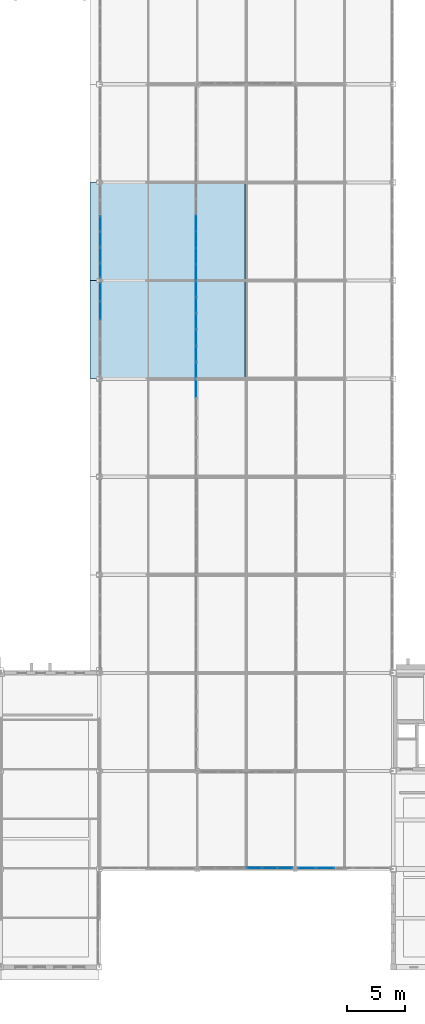
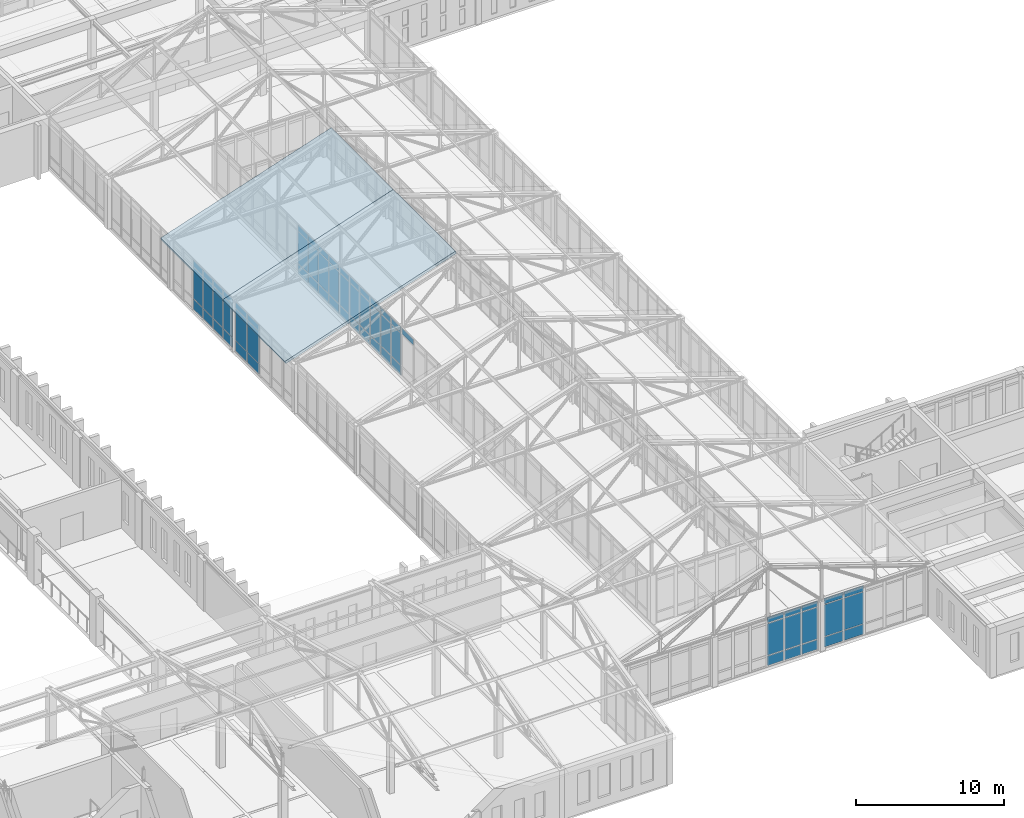
# One storey, part 114 of 192: 64 plates, 2 slabs, 7 elements without a shape of their own.
"""IFC4 building model written with IfcOpenShell, lengths in metres."""

from ifc_helpers import new_model, si_unit, direction, frame, origin, origin_2d, place, context, subcontext, project, spatial, polyline, rectangle, outline, extrude, material, layer, layer_set, type_object, element, aggregate, save


model = new_model("IFC4")

# Units and contexts
model_context = context("Model", 3, precision=1e-05, world=origin(), true_north=direction((0.0, 1.0)))
body_context = subcontext(model_context, "Body", "Model", "MODEL_VIEW")
ifc_project = project(units=[si_unit("LENGTHUNIT", "METRE"), si_unit("AREAUNIT", "SQUARE_METRE"), si_unit("VOLUMEUNIT", "CUBIC_METRE"), si_unit("PLANEANGLEUNIT", "RADIAN"), si_unit("MASSUNIT", "GRAM", prefix="KILO")], contexts=[model_context])

# Site, building, storey
site_placement = place(None, origin())
site = spatial("IfcSite", under=ifc_project, at=site_placement, CompositionType="ELEMENT")
building_placement = place(site_placement, origin())
building = spatial("IfcBuilding", under=site, at=building_placement, Name="Kveldsbrygga Polytechnic", CompositionType="ELEMENT")
storey_placement = place(building_placement, frame((0.0, 0.0, 5.43994140625)))
storey = spatial("IfcBuildingStorey", under=building, at=storey_placement, Name="L01", CompositionType="ELEMENT", Elevation=5.43994140625)

# Curtain wall, plate
ifc_material_1 = material(Name="Anodised aluminium AW-6060", Category="aluminium")
ifc_layer_1 = layer(ifc_material_1, 0.18994140625)
ifc_layer_set_1 = layer_set([ifc_layer_1], Name="Anodised aluminium AW-6060")
curtain_wall_type_1 = type_object("IfcCurtainWallType", Name="CW-REFC-G", PredefinedType="USERDEFINED", material=ifc_layer_set_1)
curtain_wall_1_placement = place(storey_placement, origin())
curtain_wall_1 = element("IfcCurtainWall", 1, at=curtain_wall_1_placement, inside=storey, type_object=curtain_wall_type_1, Name="Curtain Wall CW-L01-Y-07-05", ObjectType="UNITISED CURTAIN WALL", PredefinedType="USERDEFINED")
ifc_material_2 = material(Name="Insulated triple low-E glass", Category="glass")
ifc_layer_2 = layer(ifc_material_2, 0.035888671875)
ifc_layer_set_2 = layer_set([ifc_layer_2], Name="Insulated triple low-E glass")
plate_type_1 = type_object("IfcPlateType", Name="CW-PAN-VIS36", PredefinedType="CURTAIN_PANEL", material=ifc_layer_set_2)
plate_1_placement = place(storey_placement, frame((58.699951171875, 49.541259765625, 3.60009765625), z_axis=(0.0, 0.0, 1.0), x_axis=(0.0, 1.0, 0.0)))
plate_1 = element("IfcPlate", 2, at=plate_1_placement, type_object=plate_type_1, Name="CW-07 panel 5.3", PredefinedType="CURTAIN_PANEL", context=body_context, shape_type="SweptSolid", body=[
    extrude(rectangle(XDim=1.5673828125, YDim=0.035888671875, at=origin_2d()), origin(), (0.0, 0.0, 1.0), 0.4599609375),
])
aggregate(curtain_wall_1, [plate_1])

# Curtain wall, plates
curtain_wall_2_placement = place(storey_placement, origin())
curtain_wall_2 = element("IfcCurtainWall", 3, at=curtain_wall_2_placement, inside=storey, type_object=curtain_wall_type_1, Name="Curtain Wall CW-L01-Y-06-06", ObjectType="UNITISED CURTAIN WALL", PredefinedType="USERDEFINED")
plate_2_placement = place(storey_placement, frame((50.5, 56.218017578125, 0.06005859375), z_axis=(0.0, 0.0, 1.0), x_axis=(0.0, 1.0, 0.0)))
plate_2 = element("IfcPlate", 4, at=plate_2_placement, type_object=plate_type_1, Name="CW-07 panel 4.1", PredefinedType="CURTAIN_PANEL", context=body_context, shape_type="SweptSolid", body=[
    extrude(rectangle(XDim=1.54296875, YDim=0.035888671875, at=origin_2d()), origin(), (0.0, 0.0, 1.0), 0.81005859375),
])
plate_3_placement = place(storey_placement, frame((50.5, 56.218017578125, 0.93017578125), z_axis=(0.0, 0.0, 1.0), x_axis=(0.0, 1.0, 0.0)))
plate_3 = element("IfcPlate", 5, at=plate_3_placement, type_object=plate_type_1, Name="CW-07 panel 4.2", PredefinedType="CURTAIN_PANEL", context=body_context, shape_type="SweptSolid", body=[
    extrude(rectangle(XDim=1.54296875, YDim=0.035888671875, at=origin_2d()), origin(), (0.0, 0.0, 1.0), 2.610107421875),
])
plate_4_placement = place(storey_placement, frame((50.5, 56.218017578125, 3.60009765625), z_axis=(0.0, 0.0, 1.0), x_axis=(0.0, 1.0, 0.0)))
plate_4 = element("IfcPlate", 6, at=plate_4_placement, type_object=plate_type_1, Name="CW-07 panel 4.3", PredefinedType="CURTAIN_PANEL", context=body_context, shape_type="SweptSolid", body=[
    extrude(rectangle(XDim=1.54296875, YDim=0.035888671875, at=origin_2d()), origin(), (0.0, 0.0, 1.0), 0.4599609375),
])
plate_5_placement = place(storey_placement, frame((50.5, 57.817138671875, 0.06005859375), z_axis=(0.0, 0.0, 1.0), x_axis=(0.0, 1.0, 0.0)))
plate_5 = element("IfcPlate", 7, at=plate_5_placement, type_object=plate_type_1, Name="CW-07 panel 5.1", PredefinedType="CURTAIN_PANEL", context=body_context, shape_type="SweptSolid", body=[
    extrude(rectangle(XDim=1.505615234375, YDim=0.035888671875, at=origin_2d()), origin(), (0.0, 0.0, 1.0), 0.81005859375),
])
plate_6_placement = place(storey_placement, frame((50.5, 57.817138671875, 0.93017578125), z_axis=(0.0, 0.0, 1.0), x_axis=(0.0, 1.0, 0.0)))
plate_6 = element("IfcPlate", 8, at=plate_6_placement, type_object=plate_type_1, Name="CW-07 panel 5.2", PredefinedType="CURTAIN_PANEL", context=body_context, shape_type="SweptSolid", body=[
    extrude(rectangle(XDim=1.505615234375, YDim=0.035888671875, at=origin_2d()), origin(), (0.0, 0.0, 1.0), 2.610107421875),
])
plate_7_placement = place(storey_placement, frame((50.5, 57.817138671875, 3.60009765625), z_axis=(0.0, 0.0, 1.0), x_axis=(0.0, 1.0, 0.0)))
plate_7 = element("IfcPlate", 9, at=plate_7_placement, type_object=plate_type_1, Name="CW-07 panel 5.3", PredefinedType="CURTAIN_PANEL", context=body_context, shape_type="SweptSolid", body=[
    extrude(rectangle(XDim=1.505615234375, YDim=0.035888671875, at=origin_2d()), origin(), (0.0, 0.0, 1.0), 0.4599609375),
])
aggregate(curtain_wall_2, [plate_2, plate_3, plate_4, plate_5, plate_6, plate_7])

ifc_layer_3 = layer(ifc_material_1, 0.179931640625)
ifc_layer_set_3 = layer_set([ifc_layer_3], Name="Anodised aluminium AW-6060")
curtain_wall_type_2 = type_object("IfcCurtainWallType", Name="CW-CONC-A", PredefinedType="USERDEFINED", material=ifc_layer_set_3)
curtain_wall_3_placement = place(storey_placement, origin())
curtain_wall_3 = element("IfcCurtainWall", 10, at=curtain_wall_3_placement, inside=storey, type_object=curtain_wall_type_2, Name="Curtain Wall CW-L01-Y-07-07", ObjectType="UNITISED CURTAIN WALL", PredefinedType="USERDEFINED")
plate_8_placement = place(storey_placement, frame((58.699951171875, 59.514892578125, 0.06005859375), z_axis=(0.0, 0.0, 1.0), x_axis=(0.0, 1.0, 0.0)))
plate_8 = element("IfcPlate", 11, at=plate_8_placement, type_object=plate_type_1, Name="CW-01 panel 1.1", PredefinedType="CURTAIN_PANEL", context=body_context, shape_type="SweptSolid", body=[
    extrude(rectangle(XDim=1.31005859375, YDim=0.035888671875, at=origin_2d()), origin(), (0.0, 0.0, 1.0), 0.81005859375),
])
plate_9_placement = place(storey_placement, frame((58.699951171875, 59.514892578125, 0.93017578125), z_axis=(0.0, 0.0, 1.0), x_axis=(0.0, 1.0, 0.0)))
plate_9 = element("IfcPlate", 12, at=plate_9_placement, type_object=plate_type_1, Name="CW-01 panel 1.2", PredefinedType="CURTAIN_PANEL", context=body_context, shape_type="SweptSolid", body=[
    extrude(rectangle(XDim=1.31005859375, YDim=0.035888671875, at=origin_2d()), origin(), (0.0, 0.0, 1.0), 2.610107421875),
])
plate_10_placement = place(storey_placement, frame((58.699951171875, 59.514892578125, 3.60009765625), z_axis=(0.0, 0.0, 1.0), x_axis=(0.0, 1.0, 0.0)))
plate_10 = element("IfcPlate", 13, at=plate_10_placement, type_object=plate_type_1, Name="CW-01 panel 1.3", PredefinedType="CURTAIN_PANEL", context=body_context, shape_type="SweptSolid", body=[
    extrude(rectangle(XDim=1.31005859375, YDim=0.035888671875, at=origin_2d()), origin(), (0.0, 0.0, 1.0), 0.4599609375),
])
plate_11_placement = place(storey_placement, frame((58.699951171875, 60.89990234375, 0.06005859375), z_axis=(0.0, 0.0, 1.0), x_axis=(0.0, 1.0, 0.0)))
plate_11 = element("IfcPlate", 14, at=plate_11_placement, type_object=plate_type_1, Name="CW-01 panel 2.1", PredefinedType="CURTAIN_PANEL", context=body_context, shape_type="SweptSolid", body=[
    extrude(rectangle(XDim=1.340087890625, YDim=0.035888671875, at=origin_2d()), origin(), (0.0, 0.0, 1.0), 0.81005859375),
])
plate_12_placement = place(storey_placement, frame((58.699951171875, 60.89990234375, 0.93017578125), z_axis=(0.0, 0.0, 1.0), x_axis=(0.0, 1.0, 0.0)))
plate_12 = element("IfcPlate", 15, at=plate_12_placement, type_object=plate_type_1, Name="CW-01 panel 2.2", PredefinedType="CURTAIN_PANEL", context=body_context, shape_type="SweptSolid", body=[
    extrude(rectangle(XDim=1.340087890625, YDim=0.035888671875, at=origin_2d()), origin(), (0.0, 0.0, 1.0), 2.610107421875),
])
plate_13_placement = place(storey_placement, frame((58.699951171875, 60.89990234375, 3.60009765625), z_axis=(0.0, 0.0, 1.0), x_axis=(0.0, 1.0, 0.0)))
plate_13 = element("IfcPlate", 16, at=plate_13_placement, type_object=plate_type_1, Name="CW-01 panel 2.3", PredefinedType="CURTAIN_PANEL", context=body_context, shape_type="SweptSolid", body=[
    extrude(rectangle(XDim=1.340087890625, YDim=0.035888671875, at=origin_2d()), origin(), (0.0, 0.0, 1.0), 0.4599609375),
])
plate_14_placement = place(storey_placement, frame((58.699951171875, 62.300048828125, 0.06005859375), z_axis=(0.0, 0.0, 1.0), x_axis=(0.0, 1.0, 0.0)))
plate_14 = element("IfcPlate", 17, at=plate_14_placement, type_object=plate_type_1, Name="CW-01 panel 3.1", PredefinedType="CURTAIN_PANEL", context=body_context, shape_type="SweptSolid", body=[
    extrude(rectangle(XDim=1.340087890625, YDim=0.035888671875, at=origin_2d()), origin(), (0.0, 0.0, 1.0), 0.81005859375),
])
plate_15_placement = place(storey_placement, frame((58.699951171875, 62.300048828125, 0.93017578125), z_axis=(0.0, 0.0, 1.0), x_axis=(0.0, 1.0, 0.0)))
plate_15 = element("IfcPlate", 18, at=plate_15_placement, type_object=plate_type_1, Name="CW-01 panel 3.2", PredefinedType="CURTAIN_PANEL", context=body_context, shape_type="SweptSolid", body=[
    extrude(rectangle(XDim=1.340087890625, YDim=0.035888671875, at=origin_2d()), origin(), (0.0, 0.0, 1.0), 2.610107421875),
])
plate_16_placement = place(storey_placement, frame((58.699951171875, 62.300048828125, 3.60009765625), z_axis=(0.0, 0.0, 1.0), x_axis=(0.0, 1.0, 0.0)))
plate_16 = element("IfcPlate", 19, at=plate_16_placement, type_object=plate_type_1, Name="CW-01 panel 3.3", PredefinedType="CURTAIN_PANEL", context=body_context, shape_type="SweptSolid", body=[
    extrude(rectangle(XDim=1.340087890625, YDim=0.035888671875, at=origin_2d()), origin(), (0.0, 0.0, 1.0), 0.4599609375),
])
plate_17_placement = place(storey_placement, frame((58.699951171875, 63.699951171875, 0.06005859375), z_axis=(0.0, 0.0, 1.0), x_axis=(0.0, 1.0, 0.0)))
plate_17 = element("IfcPlate", 20, at=plate_17_placement, type_object=plate_type_1, Name="CW-01 panel 4.1", PredefinedType="CURTAIN_PANEL", context=body_context, shape_type="SweptSolid", body=[
    extrude(rectangle(XDim=1.340087890625, YDim=0.035888671875, at=origin_2d()), origin(), (0.0, 0.0, 1.0), 0.81005859375),
])
plate_18_placement = place(storey_placement, frame((58.699951171875, 63.699951171875, 0.93017578125), z_axis=(0.0, 0.0, 1.0), x_axis=(0.0, 1.0, 0.0)))
plate_18 = element("IfcPlate", 21, at=plate_18_placement, type_object=plate_type_1, Name="CW-01 panel 4.2", PredefinedType="CURTAIN_PANEL", context=body_context, shape_type="SweptSolid", body=[
    extrude(rectangle(XDim=1.340087890625, YDim=0.035888671875, at=origin_2d()), origin(), (0.0, 0.0, 1.0), 2.610107421875),
])
plate_19_placement = place(storey_placement, frame((58.699951171875, 63.699951171875, 3.60009765625), z_axis=(0.0, 0.0, 1.0), x_axis=(0.0, 1.0, 0.0)))
plate_19 = element("IfcPlate", 22, at=plate_19_placement, type_object=plate_type_1, Name="CW-01 panel 4.3", PredefinedType="CURTAIN_PANEL", context=body_context, shape_type="SweptSolid", body=[
    extrude(rectangle(XDim=1.340087890625, YDim=0.035888671875, at=origin_2d()), origin(), (0.0, 0.0, 1.0), 0.4599609375),
])
aggregate(curtain_wall_3, [plate_8, plate_9, plate_10, plate_11, plate_12, plate_13, plate_14, plate_15, plate_16, plate_17, plate_18, plate_19])

ifc_layer_4 = layer(ifc_material_1, 0.179931640625)
ifc_layer_set_4 = layer_set([ifc_layer_4], Name="Anodised aluminium AW-6060")
curtain_wall_type_3 = type_object("IfcCurtainWallType", Name="CW-LANC-D", PredefinedType="USERDEFINED", material=ifc_layer_set_4)
curtain_wall_4_placement = place(storey_placement, origin())
curtain_wall_4 = element("IfcCurtainWall", 23, at=curtain_wall_4_placement, inside=storey, type_object=curtain_wall_type_3, Name="Curtain Wall CW-L01-X-08-01", ObjectType="UNITISED CURTAIN WALL", PredefinedType="USERDEFINED")
plate_20_placement = place(storey_placement, frame((68.19921875, 8.5, 0.06005859375), z_axis=(0.0, 0.0, 1.0), x_axis=(1.0, 0.0, 0.0)))
plate_20 = element("IfcPlate", 24, at=plate_20_placement, type_object=plate_type_1, Name="CW-04 panel 1.1", PredefinedType="CURTAIN_PANEL", context=body_context, shape_type="SweptSolid", body=[
    extrude(rectangle(XDim=1.478515625, YDim=0.035888671875, at=origin_2d()), origin(), (0.0, 0.0, 1.0), 0.81005859375),
])
plate_21_placement = place(storey_placement, frame((68.19921875, 8.5, 0.93017578125), z_axis=(0.0, 0.0, 1.0), x_axis=(1.0, 0.0, 0.0)))
plate_21 = element("IfcPlate", 25, at=plate_21_placement, type_object=plate_type_1, Name="CW-04 panel 1.2", PredefinedType="CURTAIN_PANEL", context=body_context, shape_type="SweptSolid", body=[
    extrude(rectangle(XDim=1.478515625, YDim=0.035888671875, at=origin_2d()), origin(), (0.0, 0.0, 1.0), 2.610107421875),
])
plate_22_placement = place(storey_placement, frame((68.19921875, 8.5, 3.60009765625), z_axis=(0.0, 0.0, 1.0), x_axis=(1.0, 0.0, 0.0)))
plate_22 = element("IfcPlate", 26, at=plate_22_placement, type_object=plate_type_1, Name="CW-04 panel 1.3", PredefinedType="CURTAIN_PANEL", context=body_context, shape_type="SweptSolid", body=[
    extrude(rectangle(XDim=1.478515625, YDim=0.035888671875, at=origin_2d()), origin(), (0.0, 0.0, 1.0), 0.4599609375),
])
plate_23_placement = place(storey_placement, frame((69.771484375, 8.5, 0.06005859375), z_axis=(0.0, 0.0, 1.0), x_axis=(1.0, 0.0, 0.0)))
plate_23 = element("IfcPlate", 27, at=plate_23_placement, type_object=plate_type_1, Name="CW-04 panel 2.1", PredefinedType="CURTAIN_PANEL", context=body_context, shape_type="SweptSolid", body=[
    extrude(rectangle(XDim=1.51611328125, YDim=0.035888671875, at=origin_2d()), origin(), (0.0, 0.0, 1.0), 0.81005859375),
])
plate_24_placement = place(storey_placement, frame((69.771484375, 8.5, 0.93017578125), z_axis=(0.0, 0.0, 1.0), x_axis=(1.0, 0.0, 0.0)))
plate_24 = element("IfcPlate", 28, at=plate_24_placement, type_object=plate_type_1, Name="CW-04 panel 2.2", PredefinedType="CURTAIN_PANEL", context=body_context, shape_type="SweptSolid", body=[
    extrude(rectangle(XDim=1.51611328125, YDim=0.035888671875, at=origin_2d()), origin(), (0.0, 0.0, 1.0), 2.610107421875),
])
plate_25_placement = place(storey_placement, frame((69.771484375, 8.5, 3.60009765625), z_axis=(0.0, 0.0, 1.0), x_axis=(1.0, 0.0, 0.0)))
plate_25 = element("IfcPlate", 29, at=plate_25_placement, type_object=plate_type_1, Name="CW-04 panel 2.3", PredefinedType="CURTAIN_PANEL", context=body_context, shape_type="SweptSolid", body=[
    extrude(rectangle(XDim=1.51611328125, YDim=0.035888671875, at=origin_2d()), origin(), (0.0, 0.0, 1.0), 0.4599609375),
])
aggregate(curtain_wall_4, [plate_20, plate_21, plate_22, plate_23, plate_24, plate_25])

ifc_layer_5 = layer(ifc_material_1, 0.2099609375)
ifc_layer_set_5 = layer_set([ifc_layer_5], Name="Anodised aluminium AW-6060")
curtain_wall_type_4 = type_object("IfcCurtainWallType", Name="CW-LIBR-H", PredefinedType="USERDEFINED", material=ifc_layer_set_5)
curtain_wall_5_placement = place(storey_placement, origin())
curtain_wall_5 = element("IfcCurtainWall", 30, at=curtain_wall_5_placement, inside=storey, type_object=curtain_wall_type_4, Name="Curtain Wall CW-L01-Y-07-06", ObjectType="UNITISED CURTAIN WALL", PredefinedType="USERDEFINED")
ifc_layer_6 = layer(ifc_material_2, 0.0419921875)
ifc_layer_set_6 = layer_set([ifc_layer_6], Name="Insulated triple low-E glass")
plate_type_2 = type_object("IfcPlateType", Name="CW-PAN-VIS42", PredefinedType="CURTAIN_PANEL", material=ifc_layer_set_6)
plate_26_placement = place(storey_placement, frame((58.699951171875, 51.11865234375, 0.06005859375), z_axis=(0.0, 0.0, 1.0), x_axis=(0.0, 1.0, 0.0)))
plate_26 = element("IfcPlate", 31, at=plate_26_placement, type_object=plate_type_2, Name="CW-08 panel 1.1", PredefinedType="CURTAIN_PANEL", context=body_context, shape_type="SweptSolid", body=[
    extrude(rectangle(XDim=1.28759765625, YDim=0.0419921875, at=origin_2d()), origin(), (0.0, 0.0, 1.0), 0.81005859375),
])
plate_27_placement = place(storey_placement, frame((58.699951171875, 51.11865234375, 0.93017578125), z_axis=(0.0, 0.0, 1.0), x_axis=(0.0, 1.0, 0.0)))
plate_27 = element("IfcPlate", 32, at=plate_27_placement, type_object=plate_type_2, Name="CW-08 panel 1.2", PredefinedType="CURTAIN_PANEL", context=body_context, shape_type="SweptSolid", body=[
    extrude(rectangle(XDim=1.28759765625, YDim=0.0419921875, at=origin_2d()), origin(), (0.0, 0.0, 1.0), 2.610107421875),
])
plate_28_placement = place(storey_placement, frame((58.699951171875, 51.11865234375, 3.60009765625), z_axis=(0.0, 0.0, 1.0), x_axis=(0.0, 1.0, 0.0)))
plate_28 = element("IfcPlate", 33, at=plate_28_placement, type_object=plate_type_2, Name="CW-08 panel 1.3", PredefinedType="CURTAIN_PANEL", context=body_context, shape_type="SweptSolid", body=[
    extrude(rectangle(XDim=1.28759765625, YDim=0.0419921875, at=origin_2d()), origin(), (0.0, 0.0, 1.0), 0.4599609375),
])
plate_29_placement = place(storey_placement, frame((58.699951171875, 52.5, 0.06005859375), z_axis=(0.0, 0.0, 1.0), x_axis=(0.0, 1.0, 0.0)))
plate_29 = element("IfcPlate", 34, at=plate_29_placement, type_object=plate_type_2, Name="CW-08 panel 2.1", PredefinedType="CURTAIN_PANEL", context=body_context, shape_type="SweptSolid", body=[
    extrude(rectangle(XDim=1.324951171875, YDim=0.0419921875, at=origin_2d()), origin(), (0.0, 0.0, 1.0), 0.81005859375),
])
plate_30_placement = place(storey_placement, frame((58.699951171875, 52.5, 0.93017578125), z_axis=(0.0, 0.0, 1.0), x_axis=(0.0, 1.0, 0.0)))
plate_30 = element("IfcPlate", 35, at=plate_30_placement, type_object=plate_type_2, Name="CW-08 panel 2.2", PredefinedType="CURTAIN_PANEL", context=body_context, shape_type="SweptSolid", body=[
    extrude(rectangle(XDim=1.324951171875, YDim=0.0419921875, at=origin_2d()), origin(), (0.0, 0.0, 1.0), 2.610107421875),
])
plate_31_placement = place(storey_placement, frame((58.699951171875, 52.5, 3.60009765625), z_axis=(0.0, 0.0, 1.0), x_axis=(0.0, 1.0, 0.0)))
plate_31 = element("IfcPlate", 36, at=plate_31_placement, type_object=plate_type_2, Name="CW-08 panel 2.3", PredefinedType="CURTAIN_PANEL", context=body_context, shape_type="SweptSolid", body=[
    extrude(rectangle(XDim=1.324951171875, YDim=0.0419921875, at=origin_2d()), origin(), (0.0, 0.0, 1.0), 0.4599609375),
])
plate_32_placement = place(storey_placement, frame((58.699951171875, 53.89990234375, 0.06005859375), z_axis=(0.0, 0.0, 1.0), x_axis=(0.0, 1.0, 0.0)))
plate_32 = element("IfcPlate", 37, at=plate_32_placement, type_object=plate_type_2, Name="CW-08 panel 3.1", PredefinedType="CURTAIN_PANEL", context=body_context, shape_type="SweptSolid", body=[
    extrude(rectangle(XDim=1.324951171875, YDim=0.0419921875, at=origin_2d()), origin(), (0.0, 0.0, 1.0), 0.81005859375),
])
plate_33_placement = place(storey_placement, frame((58.699951171875, 53.89990234375, 0.93017578125), z_axis=(0.0, 0.0, 1.0), x_axis=(0.0, 1.0, 0.0)))
plate_33 = element("IfcPlate", 38, at=plate_33_placement, type_object=plate_type_2, Name="CW-08 panel 3.2", PredefinedType="CURTAIN_PANEL", context=body_context, shape_type="SweptSolid", body=[
    extrude(rectangle(XDim=1.324951171875, YDim=0.0419921875, at=origin_2d()), origin(), (0.0, 0.0, 1.0), 2.610107421875),
])
plate_34_placement = place(storey_placement, frame((58.699951171875, 53.89990234375, 3.60009765625), z_axis=(0.0, 0.0, 1.0), x_axis=(0.0, 1.0, 0.0)))
plate_34 = element("IfcPlate", 39, at=plate_34_placement, type_object=plate_type_2, Name="CW-08 panel 3.3", PredefinedType="CURTAIN_PANEL", context=body_context, shape_type="SweptSolid", body=[
    extrude(rectangle(XDim=1.324951171875, YDim=0.0419921875, at=origin_2d()), origin(), (0.0, 0.0, 1.0), 0.4599609375),
])
plate_35_placement = place(storey_placement, frame((58.699951171875, 55.300048828125, 0.06005859375), z_axis=(0.0, 0.0, 1.0), x_axis=(0.0, 1.0, 0.0)))
plate_35 = element("IfcPlate", 40, at=plate_35_placement, type_object=plate_type_2, Name="CW-08 panel 4.1", PredefinedType="CURTAIN_PANEL", context=body_context, shape_type="SweptSolid", body=[
    extrude(rectangle(XDim=1.324951171875, YDim=0.0419921875, at=origin_2d()), origin(), (0.0, 0.0, 1.0), 0.81005859375),
])
plate_36_placement = place(storey_placement, frame((58.699951171875, 55.300048828125, 0.93017578125), z_axis=(0.0, 0.0, 1.0), x_axis=(0.0, 1.0, 0.0)))
plate_36 = element("IfcPlate", 41, at=plate_36_placement, type_object=plate_type_2, Name="CW-08 panel 4.2", PredefinedType="CURTAIN_PANEL", context=body_context, shape_type="SweptSolid", body=[
    extrude(rectangle(XDim=1.324951171875, YDim=0.0419921875, at=origin_2d()), origin(), (0.0, 0.0, 1.0), 2.610107421875),
])
plate_37_placement = place(storey_placement, frame((58.699951171875, 55.300048828125, 3.60009765625), z_axis=(0.0, 0.0, 1.0), x_axis=(0.0, 1.0, 0.0)))
plate_37 = element("IfcPlate", 42, at=plate_37_placement, type_object=plate_type_2, Name="CW-08 panel 4.3", PredefinedType="CURTAIN_PANEL", context=body_context, shape_type="SweptSolid", body=[
    extrude(rectangle(XDim=1.324951171875, YDim=0.0419921875, at=origin_2d()), origin(), (0.0, 0.0, 1.0), 0.4599609375),
])
plate_38_placement = place(storey_placement, frame((58.699951171875, 56.699951171875, 0.06005859375), z_axis=(0.0, 0.0, 1.0), x_axis=(0.0, 1.0, 0.0)))
plate_38 = element("IfcPlate", 43, at=plate_38_placement, type_object=plate_type_2, Name="CW-08 panel 5.1", PredefinedType="CURTAIN_PANEL", context=body_context, shape_type="SweptSolid", body=[
    extrude(rectangle(XDim=1.324951171875, YDim=0.0419921875, at=origin_2d()), origin(), (0.0, 0.0, 1.0), 0.81005859375),
])
plate_39_placement = place(storey_placement, frame((58.699951171875, 56.699951171875, 0.93017578125), z_axis=(0.0, 0.0, 1.0), x_axis=(0.0, 1.0, 0.0)))
plate_39 = element("IfcPlate", 44, at=plate_39_placement, type_object=plate_type_2, Name="CW-08 panel 5.2", PredefinedType="CURTAIN_PANEL", context=body_context, shape_type="SweptSolid", body=[
    extrude(rectangle(XDim=1.324951171875, YDim=0.0419921875, at=origin_2d()), origin(), (0.0, 0.0, 1.0), 2.610107421875),
])
plate_40_placement = place(storey_placement, frame((58.699951171875, 56.699951171875, 3.60009765625), z_axis=(0.0, 0.0, 1.0), x_axis=(0.0, 1.0, 0.0)))
plate_40 = element("IfcPlate", 45, at=plate_40_placement, type_object=plate_type_2, Name="CW-08 panel 5.3", PredefinedType="CURTAIN_PANEL", context=body_context, shape_type="SweptSolid", body=[
    extrude(rectangle(XDim=1.324951171875, YDim=0.0419921875, at=origin_2d()), origin(), (0.0, 0.0, 1.0), 0.4599609375),
])
plate_41_placement = place(storey_placement, frame((58.699951171875, 58.081298828125, 0.06005859375), z_axis=(0.0, 0.0, 1.0), x_axis=(0.0, 1.0, 0.0)))
plate_41 = element("IfcPlate", 46, at=plate_41_placement, type_object=plate_type_2, Name="CW-08 panel 6.1", PredefinedType="CURTAIN_PANEL", context=body_context, shape_type="SweptSolid", body=[
    extrude(rectangle(XDim=1.28759765625, YDim=0.0419921875, at=origin_2d()), origin(), (0.0, 0.0, 1.0), 0.81005859375),
])
plate_42_placement = place(storey_placement, frame((58.699951171875, 58.081298828125, 0.93017578125), z_axis=(0.0, 0.0, 1.0), x_axis=(0.0, 1.0, 0.0)))
plate_42 = element("IfcPlate", 47, at=plate_42_placement, type_object=plate_type_2, Name="CW-08 panel 6.2", PredefinedType="CURTAIN_PANEL", context=body_context, shape_type="SweptSolid", body=[
    extrude(rectangle(XDim=1.28759765625, YDim=0.0419921875, at=origin_2d()), origin(), (0.0, 0.0, 1.0), 2.610107421875),
])
plate_43_placement = place(storey_placement, frame((58.699951171875, 58.081298828125, 3.60009765625), z_axis=(0.0, 0.0, 1.0), x_axis=(0.0, 1.0, 0.0)))
plate_43 = element("IfcPlate", 48, at=plate_43_placement, type_object=plate_type_2, Name="CW-08 panel 6.3", PredefinedType="CURTAIN_PANEL", context=body_context, shape_type="SweptSolid", body=[
    extrude(rectangle(XDim=1.28759765625, YDim=0.0419921875, at=origin_2d()), origin(), (0.0, 0.0, 1.0), 0.4599609375),
])
aggregate(curtain_wall_5, [plate_26, plate_27, plate_28, plate_29, plate_30, plate_31, plate_32, plate_33, plate_34, plate_35, plate_36, plate_37, plate_38, plate_39, plate_40, plate_41, plate_42, plate_43])

curtain_wall_6_placement = place(storey_placement, origin())
curtain_wall_6 = element("IfcCurtainWall", 49, at=curtain_wall_6_placement, inside=storey, type_object=curtain_wall_type_4, Name="Curtain Wall CW-L01-Y-06-07", ObjectType="UNITISED CURTAIN WALL", PredefinedType="USERDEFINED")
plate_44_placement = place(storey_placement, frame((50.5, 59.64794921875, 0.06005859375), z_axis=(0.0, 0.0, 1.0), x_axis=(0.0, 1.0, 0.0)))
plate_44 = element("IfcPlate", 50, at=plate_44_placement, type_object=plate_type_2, Name="CW-08 panel 1.1", PredefinedType="CURTAIN_PANEL", context=body_context, shape_type="SweptSolid", body=[
    extrude(rectangle(XDim=1.23583984375, YDim=0.0419921875, at=origin_2d()), origin(), (0.0, 0.0, 1.0), 0.81005859375),
])
plate_45_placement = place(storey_placement, frame((50.5, 59.64794921875, 0.93017578125), z_axis=(0.0, 0.0, 1.0), x_axis=(0.0, 1.0, 0.0)))
plate_45 = element("IfcPlate", 51, at=plate_45_placement, type_object=plate_type_2, Name="CW-08 panel 1.2", PredefinedType="CURTAIN_PANEL", context=body_context, shape_type="SweptSolid", body=[
    extrude(rectangle(XDim=1.23583984375, YDim=0.0419921875, at=origin_2d()), origin(), (0.0, 0.0, 1.0), 2.610107421875),
])
plate_46_placement = place(storey_placement, frame((50.5, 59.64794921875, 3.60009765625), z_axis=(0.0, 0.0, 1.0), x_axis=(0.0, 1.0, 0.0)))
plate_46 = element("IfcPlate", 52, at=plate_46_placement, type_object=plate_type_2, Name="CW-08 panel 1.3", PredefinedType="CURTAIN_PANEL", context=body_context, shape_type="SweptSolid", body=[
    extrude(rectangle(XDim=1.23583984375, YDim=0.0419921875, at=origin_2d()), origin(), (0.0, 0.0, 1.0), 0.4599609375),
])
plate_47_placement = place(storey_placement, frame((50.5, 60.9775390625, 0.06005859375), z_axis=(0.0, 0.0, 1.0), x_axis=(0.0, 1.0, 0.0)))
plate_47 = element("IfcPlate", 53, at=plate_47_placement, type_object=plate_type_2, Name="CW-08 panel 2.1", PredefinedType="CURTAIN_PANEL", context=body_context, shape_type="SweptSolid", body=[
    extrude(rectangle(XDim=1.2734375, YDim=0.0419921875, at=origin_2d()), origin(), (0.0, 0.0, 1.0), 0.81005859375),
])
plate_48_placement = place(storey_placement, frame((50.5, 60.9775390625, 0.93017578125), z_axis=(0.0, 0.0, 1.0), x_axis=(0.0, 1.0, 0.0)))
plate_48 = element("IfcPlate", 54, at=plate_48_placement, type_object=plate_type_2, Name="CW-08 panel 2.2", PredefinedType="CURTAIN_PANEL", context=body_context, shape_type="SweptSolid", body=[
    extrude(rectangle(XDim=1.2734375, YDim=0.0419921875, at=origin_2d()), origin(), (0.0, 0.0, 1.0), 2.610107421875),
])
plate_49_placement = place(storey_placement, frame((50.5, 60.9775390625, 3.60009765625), z_axis=(0.0, 0.0, 1.0), x_axis=(0.0, 1.0, 0.0)))
plate_49 = element("IfcPlate", 55, at=plate_49_placement, type_object=plate_type_2, Name="CW-08 panel 2.3", PredefinedType="CURTAIN_PANEL", context=body_context, shape_type="SweptSolid", body=[
    extrude(rectangle(XDim=1.2734375, YDim=0.0419921875, at=origin_2d()), origin(), (0.0, 0.0, 1.0), 0.4599609375),
])
plate_50_placement = place(storey_placement, frame((50.5, 62.325927734375, 0.06005859375), z_axis=(0.0, 0.0, 1.0), x_axis=(0.0, 1.0, 0.0)))
plate_50 = element("IfcPlate", 56, at=plate_50_placement, type_object=plate_type_2, Name="CW-08 panel 3.1", PredefinedType="CURTAIN_PANEL", context=body_context, shape_type="SweptSolid", body=[
    extrude(rectangle(XDim=1.2734375, YDim=0.0419921875, at=origin_2d()), origin(), (0.0, 0.0, 1.0), 0.81005859375),
])
plate_51_placement = place(storey_placement, frame((50.5, 62.325927734375, 0.93017578125), z_axis=(0.0, 0.0, 1.0), x_axis=(0.0, 1.0, 0.0)))
plate_51 = element("IfcPlate", 57, at=plate_51_placement, type_object=plate_type_2, Name="CW-08 panel 3.2", PredefinedType="CURTAIN_PANEL", context=body_context, shape_type="SweptSolid", body=[
    extrude(rectangle(XDim=1.2734375, YDim=0.0419921875, at=origin_2d()), origin(), (0.0, 0.0, 1.0), 2.610107421875),
])
plate_52_placement = place(storey_placement, frame((50.5, 62.325927734375, 3.60009765625), z_axis=(0.0, 0.0, 1.0), x_axis=(0.0, 1.0, 0.0)))
plate_52 = element("IfcPlate", 58, at=plate_52_placement, type_object=plate_type_2, Name="CW-08 panel 3.3", PredefinedType="CURTAIN_PANEL", context=body_context, shape_type="SweptSolid", body=[
    extrude(rectangle(XDim=1.2734375, YDim=0.0419921875, at=origin_2d()), origin(), (0.0, 0.0, 1.0), 0.4599609375),
])
plate_53_placement = place(storey_placement, frame((50.5, 63.674072265625, 0.06005859375), z_axis=(0.0, 0.0, 1.0), x_axis=(0.0, 1.0, 0.0)))
plate_53 = element("IfcPlate", 59, at=plate_53_placement, type_object=plate_type_2, Name="CW-08 panel 4.1", PredefinedType="CURTAIN_PANEL", context=body_context, shape_type="SweptSolid", body=[
    extrude(rectangle(XDim=1.2734375, YDim=0.0419921875, at=origin_2d()), origin(), (0.0, 0.0, 1.0), 0.81005859375),
])
plate_54_placement = place(storey_placement, frame((50.5, 63.674072265625, 0.93017578125), z_axis=(0.0, 0.0, 1.0), x_axis=(0.0, 1.0, 0.0)))
plate_54 = element("IfcPlate", 60, at=plate_54_placement, type_object=plate_type_2, Name="CW-08 panel 4.2", PredefinedType="CURTAIN_PANEL", context=body_context, shape_type="SweptSolid", body=[
    extrude(rectangle(XDim=1.2734375, YDim=0.0419921875, at=origin_2d()), origin(), (0.0, 0.0, 1.0), 2.610107421875),
])
plate_55_placement = place(storey_placement, frame((50.5, 63.674072265625, 3.60009765625), z_axis=(0.0, 0.0, 1.0), x_axis=(0.0, 1.0, 0.0)))
plate_55 = element("IfcPlate", 61, at=plate_55_placement, type_object=plate_type_2, Name="CW-08 panel 4.3", PredefinedType="CURTAIN_PANEL", context=body_context, shape_type="SweptSolid", body=[
    extrude(rectangle(XDim=1.2734375, YDim=0.0419921875, at=origin_2d()), origin(), (0.0, 0.0, 1.0), 0.4599609375),
])
aggregate(curtain_wall_6, [plate_44, plate_45, plate_46, plate_47, plate_48, plate_49, plate_50, plate_51, plate_52, plate_53, plate_54, plate_55])

ifc_layer_7 = layer(ifc_material_1, 0.159912109375)
ifc_layer_set_7 = layer_set([ifc_layer_7], Name="Anodised aluminium AW-6060")
curtain_wall_type_5 = type_object("IfcCurtainWallType", Name="CW-CLER-C", PredefinedType="USERDEFINED", material=ifc_layer_set_7)
curtain_wall_7_placement = place(storey_placement, origin())
curtain_wall_7 = element("IfcCurtainWall", 62, at=curtain_wall_7_placement, inside=storey, type_object=curtain_wall_type_5, Name="Curtain Wall CW-L01-X-07-01", ObjectType="STICK CURTAIN WALL", PredefinedType="USERDEFINED")
ifc_layer_8 = layer(ifc_material_2, 0.048095703125)
ifc_layer_set_8 = layer_set([ifc_layer_8], Name="Insulated triple low-E glass")
plate_type_3 = type_object("IfcPlateType", Name="CW-PAN-VIS48", PredefinedType="CURTAIN_PANEL", material=ifc_layer_set_8)
plate_56_placement = place(storey_placement, frame((63.6796875, 8.5, 0.074951171875), z_axis=(0.0, 0.0, 1.0), x_axis=(1.0, 0.0, 0.0)))
plate_56 = element("IfcPlate", 63, at=plate_56_placement, type_object=plate_type_3, Name="CW-03 panel 4.1", PredefinedType="CURTAIN_PANEL", context=body_context, shape_type="SweptSolid", body=[
    extrude(rectangle(XDim=1.25927734375, YDim=0.048095703125, at=origin_2d()), origin(), (0.0, 0.0, 1.0), 0.78759765625),
])
plate_57_placement = place(storey_placement, frame((63.6796875, 8.5, 0.9375), z_axis=(0.0, 0.0, 1.0), x_axis=(1.0, 0.0, 0.0)))
plate_57 = element("IfcPlate", 64, at=plate_57_placement, type_object=plate_type_3, Name="CW-03 panel 4.2", PredefinedType="CURTAIN_PANEL", context=body_context, shape_type="SweptSolid", body=[
    extrude(rectangle(XDim=1.25927734375, YDim=0.048095703125, at=origin_2d()), origin(), (0.0, 0.0, 1.0), 2.594970703125),
])
plate_58_placement = place(storey_placement, frame((63.6796875, 8.5, 3.607666015625), z_axis=(0.0, 0.0, 1.0), x_axis=(1.0, 0.0, 0.0)))
plate_58 = element("IfcPlate", 65, at=plate_58_placement, type_object=plate_type_3, Name="CW-03 panel 4.3", PredefinedType="CURTAIN_PANEL", context=body_context, shape_type="SweptSolid", body=[
    extrude(rectangle(XDim=1.25927734375, YDim=0.048095703125, at=origin_2d()), origin(), (0.0, 0.0, 1.0), 0.4375),
])
plate_59_placement = place(storey_placement, frame((65.013671875, 8.5, 0.074951171875), z_axis=(0.0, 0.0, 1.0), x_axis=(1.0, 0.0, 0.0)))
plate_59 = element("IfcPlate", 66, at=plate_59_placement, type_object=plate_type_3, Name="CW-03 panel 5.1", PredefinedType="CURTAIN_PANEL", context=body_context, shape_type="SweptSolid", body=[
    extrude(rectangle(XDim=1.25927734375, YDim=0.048095703125, at=origin_2d()), origin(), (0.0, 0.0, 1.0), 0.78759765625),
])
plate_60_placement = place(storey_placement, frame((65.013671875, 8.5, 0.9375), z_axis=(0.0, 0.0, 1.0), x_axis=(1.0, 0.0, 0.0)))
plate_60 = element("IfcPlate", 67, at=plate_60_placement, type_object=plate_type_3, Name="CW-03 panel 5.2", PredefinedType="CURTAIN_PANEL", context=body_context, shape_type="SweptSolid", body=[
    extrude(rectangle(XDim=1.25927734375, YDim=0.048095703125, at=origin_2d()), origin(), (0.0, 0.0, 1.0), 2.594970703125),
])
plate_61_placement = place(storey_placement, frame((65.013671875, 8.5, 3.607666015625), z_axis=(0.0, 0.0, 1.0), x_axis=(1.0, 0.0, 0.0)))
plate_61 = element("IfcPlate", 68, at=plate_61_placement, type_object=plate_type_3, Name="CW-03 panel 5.3", PredefinedType="CURTAIN_PANEL", context=body_context, shape_type="SweptSolid", body=[
    extrude(rectangle(XDim=1.25927734375, YDim=0.048095703125, at=origin_2d()), origin(), (0.0, 0.0, 1.0), 0.4375),
])
plate_62_placement = place(storey_placement, frame((66.3291015625, 8.5, 0.074951171875), z_axis=(0.0, 0.0, 1.0), x_axis=(1.0, 0.0, 0.0)))
plate_62 = element("IfcPlate", 69, at=plate_62_placement, type_object=plate_type_3, Name="CW-03 panel 6.1", PredefinedType="CURTAIN_PANEL", context=body_context, shape_type="SweptSolid", body=[
    extrude(rectangle(XDim=1.2216796875, YDim=0.048095703125, at=origin_2d()), origin(), (0.0, 0.0, 1.0), 0.78759765625),
])
plate_63_placement = place(storey_placement, frame((66.3291015625, 8.5, 0.9375), z_axis=(0.0, 0.0, 1.0), x_axis=(1.0, 0.0, 0.0)))
plate_63 = element("IfcPlate", 70, at=plate_63_placement, type_object=plate_type_3, Name="CW-03 panel 6.2", PredefinedType="CURTAIN_PANEL", context=body_context, shape_type="SweptSolid", body=[
    extrude(rectangle(XDim=1.2216796875, YDim=0.048095703125, at=origin_2d()), origin(), (0.0, 0.0, 1.0), 2.594970703125),
])
plate_64_placement = place(storey_placement, frame((66.3291015625, 8.5, 3.607666015625), z_axis=(0.0, 0.0, 1.0), x_axis=(1.0, 0.0, 0.0)))
plate_64 = element("IfcPlate", 71, at=plate_64_placement, type_object=plate_type_3, Name="CW-03 panel 6.3", PredefinedType="CURTAIN_PANEL", context=body_context, shape_type="SweptSolid", body=[
    extrude(rectangle(XDim=1.2216796875, YDim=0.048095703125, at=origin_2d()), origin(), (0.0, 0.0, 1.0), 0.4375),
])
aggregate(curtain_wall_7, [plate_56, plate_57, plate_58, plate_59, plate_60, plate_61, plate_62, plate_63, plate_64])

# Slabs
ifc_material_3 = material(Name="Concrete C35/45", Category="concrete")
ifc_layer_9 = layer(ifc_material_3, 0.219970703125)
ifc_layer_set_9 = layer_set([ifc_layer_9], Name="Concrete C35/45")
slab_type = type_object("IfcSlabType", Name="SLB-ROOF-220", PredefinedType="ROOF", material=ifc_layer_set_9)
slab_1_placement = place(storey_placement, frame((49.60009765625, 50.39990234375, 4.45947265625), z_axis=(-0.316227766017, 0.0, 0.948683298051), x_axis=(0.948683298051, 0.0, 0.316227766017)))
element("IfcSlab", 72, at=slab_1_placement, inside=storey, type_object=slab_type, Name="Pitched Roof Slab V5C-RSLB-6-1", PredefinedType="ROOF", context=body_context, shape_type="SweptSolid", body=[
    extrude(outline(polyline([(0.0, 0.0), (14.030290995664053, 0.0), (14.030290995664053, 8.400146484375002), (0.0, 8.400146484375002), (0.0, 0.0)])), origin(), (0.0, 0.0, -1.0), 0.219970703125),
])
slab_2_placement = place(storey_placement, frame((49.60009765625, 58.800048828125, 4.45947265625), z_axis=(-0.316227766017, 0.0, 0.948683298051), x_axis=(0.948683298051, 0.0, 0.316227766017)))
element("IfcSlab", 73, at=slab_2_placement, inside=storey, type_object=slab_type, Name="Pitched Roof Slab V5C-RSLB-7-1", PredefinedType="ROOF", context=body_context, shape_type="SweptSolid", body=[
    extrude(outline(polyline([(0.0, 0.0), (14.030290995664053, 0.0), (14.030290995664053, 8.399902343750002), (0.0, 8.399902343750002), (0.0, 0.0)])), origin(), (0.0, 0.0, -1.0), 0.219970703125),
])

save(model, "model.ifc")
